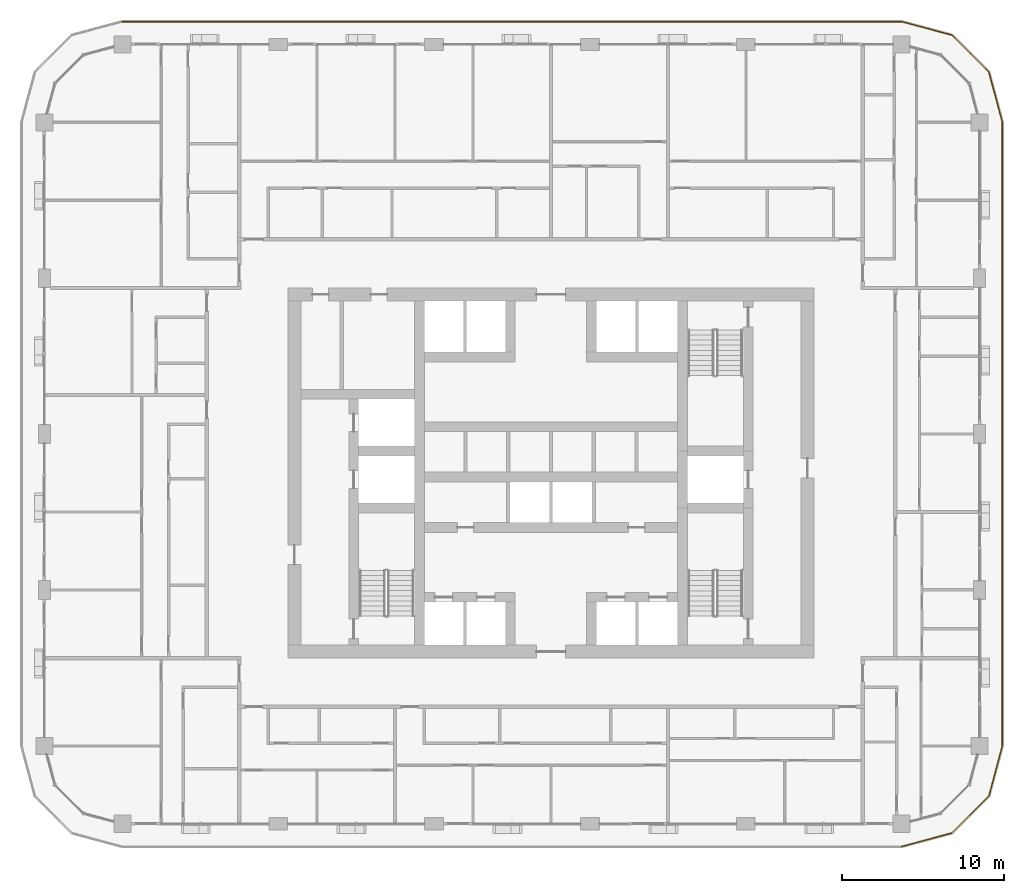
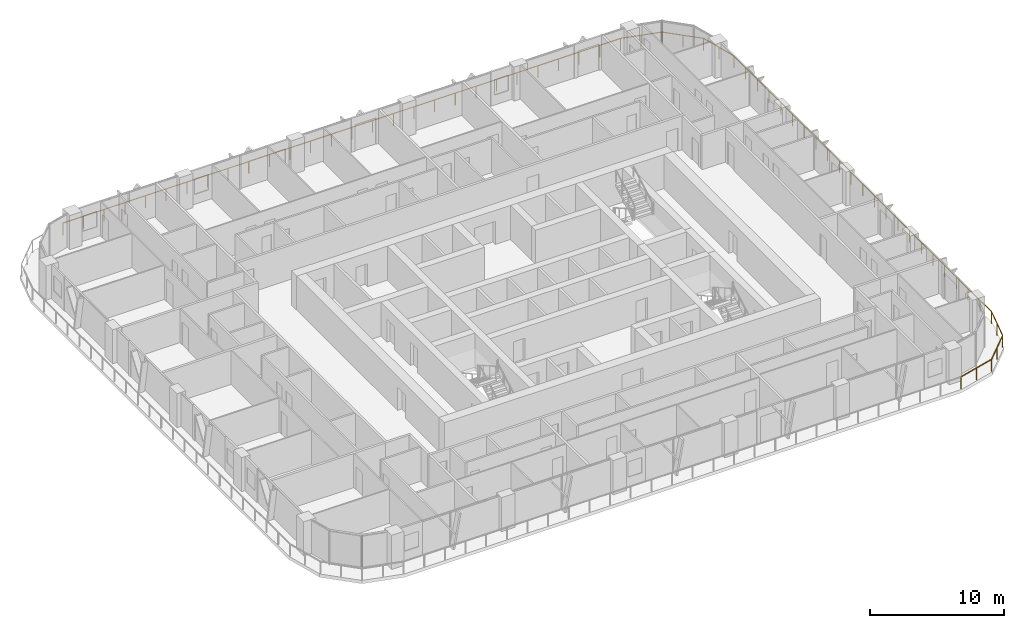
# One storey, part 20 of 22: 1 railing.
"""IFC4 building model written with IfcOpenShell, lengths in metres."""

from ifc_helpers import new_model, si_unit, direction, frame, origin, origin_2d, place, context, subcontext, project, spatial, circle, extrude, material, type_object, element, save


model = new_model("IFC4")

# Units and contexts
model_context = context("Model", 3, precision=1e-05, world=origin(), true_north=direction((0.0, 1.0)))
body_context = subcontext(model_context, "Body", "Model", "MODEL_VIEW")
ifc_project = project(units=[si_unit("LENGTHUNIT", "METRE"), si_unit("AREAUNIT", "SQUARE_METRE"), si_unit("VOLUMEUNIT", "CUBIC_METRE"), si_unit("PLANEANGLEUNIT", "RADIAN"), si_unit("MASSUNIT", "GRAM", prefix="KILO")], contexts=[model_context])

# Site, building, storey
site_placement = place(None, origin())
site = spatial("IfcSite", under=ifc_project, at=site_placement, CompositionType="ELEMENT")
building_placement = place(site_placement, origin())
building = spatial("IfcBuilding", under=site, at=building_placement, Name="Madar Terraces", CompositionType="ELEMENT")
storey_placement = place(building_placement, frame((0.0, 0.0, 140.10009765625)))
storey = spatial("IfcBuildingStorey", under=building, at=storey_placement, Name="L36", CompositionType="ELEMENT", Elevation=140.10009765625)

# Railing
ifc_material = material(Name="Glass, safety glazing, with stainless steel posts", Category="steel")
railing_type = type_object("IfcRailingType", Name="Balcony glass guard 1100", PredefinedType="GUARDRAIL", material=ifc_material)
railing_placement = place(storey_placement, frame((52.800048828125, 3.39990234375, 0.0)))
element("IfcRailing", 1, at=railing_placement, inside=storey, type_object=railing_type, Name="Balcony guard", PredefinedType="GUARDRAIL", context=body_context, shape_type="SweptSolid", body=[
    extrude(circle(Radius=0.02392578125, at=origin_2d()), frame((0.0, 0.0, 1.076171875), z_axis=(0.965909675762, 0.25887931217, 0.0), x_axis=(-0.25887931217, 0.965909675762, 0.0)), (0.0, 0.0, 1.0), 3.209228515625),
    extrude(circle(Radius=0.02392578125, at=origin_2d()), frame((3.099853515625, 0.830810546875, 1.076171875), z_axis=(0.707144815061, 0.707068745266, 0.0), x_axis=(-0.707068745266, 0.707144815061, 0.0)), (0.0, 0.0, 1.0), 3.20947265625),
    extrude(circle(Radius=0.02392578125, at=origin_2d()), frame((5.369384765625, 3.10009765625, 1.076171875), z_axis=(0.258789317819, 0.9659337912, 0.0), x_axis=(-0.9659337912, 0.258789317819, 0.0)), (0.0, 0.0, 1.0), 3.20947265625),
    extrude(circle(Radius=0.02392578125, at=origin_2d()), frame((6.199951171875, 6.2001953125, 1.076171875), z_axis=(0.0, 1.0, 0.0), x_axis=(-1.0, 0.0, 0.0)), (0.0, 0.0, 1.0), 38.39990234375),
    extrude(circle(Radius=0.02392578125, at=origin_2d()), frame((6.199951171875, 44.60009765625, 1.076171875), z_axis=(-0.258789317819, 0.9659337912, 0.0), x_axis=(-0.9659337912, -0.258789317819, 0.0)), (0.0, 0.0, 1.0), 3.20947265625),
    extrude(circle(Radius=0.02392578125, at=origin_2d()), frame((5.369384765625, 47.7001953125, 1.076171875), z_axis=(-0.707144815061, 0.707068745266, 0.0), x_axis=(-0.707068745266, -0.707144815061, 0.0)), (0.0, 0.0, 1.0), 3.20947265625),
    extrude(circle(Radius=0.02392578125, at=origin_2d()), frame((3.099853515625, 49.969482421875, 1.076171875), z_axis=(-0.965928696102, 0.258808334578, 0.0), x_axis=(-0.258808334578, -0.965928696102, 0.0)), (0.0, 0.0, 1.0), 3.209228515625),
    extrude(circle(Radius=0.02392578125, at=origin_2d()), frame((0.0, 50.800048828125, 1.076171875), z_axis=(-1.0, 0.0, 0.0), x_axis=(0.0, -1.0, 0.0)), (0.0, 0.0, 1.0), 48.0),
    extrude(circle(Radius=0.02099609375, at=origin_2d()), origin(), (0.0, 0.0, 1.0), 1.052001953125),
    extrude(circle(Radius=0.02099609375, at=origin_2d()), frame((1.5498046875, 0.41552734375, 0.0)), (0.0, 0.0, 1.0), 1.052001953125),
    extrude(circle(Radius=0.02099609375, at=origin_2d()), frame((3.099853515625, 0.830810546875, 0.0)), (0.0, 0.0, 1.0), 1.052001953125),
    extrude(circle(Radius=0.02099609375, at=origin_2d()), frame((4.234619140625, 1.96533203125, 0.0)), (0.0, 0.0, 1.0), 1.052001953125),
    extrude(circle(Radius=0.02099609375, at=origin_2d()), frame((5.369384765625, 3.10009765625, 0.0)), (0.0, 0.0, 1.0), 1.052001953125),
    extrude(circle(Radius=0.02099609375, at=origin_2d()), frame((5.78466796875, 4.650146484375, 0.0)), (0.0, 0.0, 1.0), 1.052001953125),
    extrude(circle(Radius=0.02099609375, at=origin_2d()), frame((6.199951171875, 6.2001953125, 0.0)), (0.0, 0.0, 1.0), 1.052001953125),
    extrude(circle(Radius=0.02099609375, at=origin_2d()), frame((6.199951171875, 7.945556640625, 0.0)), (0.0, 0.0, 1.0), 1.052001953125),
    extrude(circle(Radius=0.02099609375, at=origin_2d()), frame((6.199951171875, 9.691162109375, 0.0)), (0.0, 0.0, 1.0), 1.052001953125),
    extrude(circle(Radius=0.02099609375, at=origin_2d()), frame((6.199951171875, 11.4365234375, 0.0)), (0.0, 0.0, 1.0), 1.052001953125),
    extrude(circle(Radius=0.02099609375, at=origin_2d()), frame((6.199951171875, 13.181884765625, 0.0)), (0.0, 0.0, 1.0), 1.052001953125),
    extrude(circle(Radius=0.02099609375, at=origin_2d()), frame((6.199951171875, 14.927490234375, 0.0)), (0.0, 0.0, 1.0), 1.052001953125),
    extrude(circle(Radius=0.02099609375, at=origin_2d()), frame((6.199951171875, 16.6728515625, 0.0)), (0.0, 0.0, 1.0), 1.052001953125),
    extrude(circle(Radius=0.02099609375, at=origin_2d()), frame((6.199951171875, 18.41845703125, 0.0)), (0.0, 0.0, 1.0), 1.052001953125),
    extrude(circle(Radius=0.02099609375, at=origin_2d()), frame((6.199951171875, 20.163818359375, 0.0)), (0.0, 0.0, 1.0), 1.052001953125),
    extrude(circle(Radius=0.02099609375, at=origin_2d()), frame((6.199951171875, 21.9091796875, 0.0)), (0.0, 0.0, 1.0), 1.052001953125),
    extrude(circle(Radius=0.02099609375, at=origin_2d()), frame((6.199951171875, 23.65478515625, 0.0)), (0.0, 0.0, 1.0), 1.052001953125),
    extrude(circle(Radius=0.02099609375, at=origin_2d()), frame((6.199951171875, 25.400146484375, 0.0)), (0.0, 0.0, 1.0), 1.052001953125),
    extrude(circle(Radius=0.02099609375, at=origin_2d()), frame((6.199951171875, 27.1455078125, 0.0)), (0.0, 0.0, 1.0), 1.052001953125),
    extrude(circle(Radius=0.02099609375, at=origin_2d()), frame((6.199951171875, 28.89111328125, 0.0)), (0.0, 0.0, 1.0), 1.052001953125),
    extrude(circle(Radius=0.02099609375, at=origin_2d()), frame((6.199951171875, 30.636474609375, 0.0)), (0.0, 0.0, 1.0), 1.052001953125),
    extrude(circle(Radius=0.02099609375, at=origin_2d()), frame((6.199951171875, 32.3818359375, 0.0)), (0.0, 0.0, 1.0), 1.052001953125),
    extrude(circle(Radius=0.02099609375, at=origin_2d()), frame((6.199951171875, 34.12744140625, 0.0)), (0.0, 0.0, 1.0), 1.052001953125),
    extrude(circle(Radius=0.02099609375, at=origin_2d()), frame((6.199951171875, 35.872802734375, 0.0)), (0.0, 0.0, 1.0), 1.052001953125),
    extrude(circle(Radius=0.02099609375, at=origin_2d()), frame((6.199951171875, 37.618408203125, 0.0)), (0.0, 0.0, 1.0), 1.052001953125),
    extrude(circle(Radius=0.02099609375, at=origin_2d()), frame((6.199951171875, 39.36376953125, 0.0)), (0.0, 0.0, 1.0), 1.052001953125),
    extrude(circle(Radius=0.02099609375, at=origin_2d()), frame((6.199951171875, 41.109130859375, 0.0)), (0.0, 0.0, 1.0), 1.052001953125),
    extrude(circle(Radius=0.02099609375, at=origin_2d()), frame((6.199951171875, 42.854736328125, 0.0)), (0.0, 0.0, 1.0), 1.052001953125),
    extrude(circle(Radius=0.02099609375, at=origin_2d()), frame((6.199951171875, 44.60009765625, 0.0)), (0.0, 0.0, 1.0), 1.052001953125),
    extrude(circle(Radius=0.02099609375, at=origin_2d()), frame((5.78466796875, 46.150146484375, 0.0)), (0.0, 0.0, 1.0), 1.052001953125),
    extrude(circle(Radius=0.02099609375, at=origin_2d()), frame((5.369384765625, 47.7001953125, 0.0)), (0.0, 0.0, 1.0), 1.052001953125),
    extrude(circle(Radius=0.02099609375, at=origin_2d()), frame((4.234619140625, 48.8349609375, 0.0)), (0.0, 0.0, 1.0), 1.052001953125),
    extrude(circle(Radius=0.02099609375, at=origin_2d()), frame((3.099853515625, 49.969482421875, 0.0)), (0.0, 0.0, 1.0), 1.052001953125),
    extrude(circle(Radius=0.02099609375, at=origin_2d()), frame((1.5498046875, 50.384765625, 0.0)), (0.0, 0.0, 1.0), 1.052001953125),
    extrude(circle(Radius=0.02099609375, at=origin_2d()), frame((0.0, 50.800048828125, 0.0)), (0.0, 0.0, 1.0), 1.052001953125),
    extrude(circle(Radius=0.02099609375, at=origin_2d()), frame((-1.77783203125, 50.800048828125, 0.0)), (0.0, 0.0, 1.0), 1.052001953125),
    extrude(circle(Radius=0.02099609375, at=origin_2d()), frame((-3.5556640625, 50.800048828125, 0.0)), (0.0, 0.0, 1.0), 1.052001953125),
    extrude(circle(Radius=0.02099609375, at=origin_2d()), frame((-5.333251953125, 50.800048828125, 0.0)), (0.0, 0.0, 1.0), 1.052001953125),
    extrude(circle(Radius=0.02099609375, at=origin_2d()), frame((-7.111083984375, 50.800048828125, 0.0)), (0.0, 0.0, 1.0), 1.052001953125),
    extrude(circle(Radius=0.02099609375, at=origin_2d()), frame((-8.888916015625, 50.800048828125, 0.0)), (0.0, 0.0, 1.0), 1.052001953125),
    extrude(circle(Radius=0.02099609375, at=origin_2d()), frame((-10.666748046875, 50.800048828125, 0.0)), (0.0, 0.0, 1.0), 1.052001953125),
    extrude(circle(Radius=0.02099609375, at=origin_2d()), frame((-12.4443359375, 50.800048828125, 0.0)), (0.0, 0.0, 1.0), 1.052001953125),
    extrude(circle(Radius=0.02099609375, at=origin_2d()), frame((-14.22216796875, 50.800048828125, 0.0)), (0.0, 0.0, 1.0), 1.052001953125),
    extrude(circle(Radius=0.02099609375, at=origin_2d()), frame((-16.0, 50.800048828125, 0.0)), (0.0, 0.0, 1.0), 1.052001953125),
    extrude(circle(Radius=0.02099609375, at=origin_2d()), frame((-17.77783203125, 50.800048828125, 0.0)), (0.0, 0.0, 1.0), 1.052001953125),
    extrude(circle(Radius=0.02099609375, at=origin_2d()), frame((-19.5556640625, 50.800048828125, 0.0)), (0.0, 0.0, 1.0), 1.052001953125),
    extrude(circle(Radius=0.02099609375, at=origin_2d()), frame((-21.333251953125, 50.800048828125, 0.0)), (0.0, 0.0, 1.0), 1.052001953125),
    extrude(circle(Radius=0.02099609375, at=origin_2d()), frame((-23.111083984375, 50.800048828125, 0.0)), (0.0, 0.0, 1.0), 1.052001953125),
    extrude(circle(Radius=0.02099609375, at=origin_2d()), frame((-24.888916015625, 50.800048828125, 0.0)), (0.0, 0.0, 1.0), 1.052001953125),
    extrude(circle(Radius=0.02099609375, at=origin_2d()), frame((-26.666748046875, 50.800048828125, 0.0)), (0.0, 0.0, 1.0), 1.052001953125),
    extrude(circle(Radius=0.02099609375, at=origin_2d()), frame((-28.4443359375, 50.800048828125, 0.0)), (0.0, 0.0, 1.0), 1.052001953125),
    extrude(circle(Radius=0.02099609375, at=origin_2d()), frame((-30.22216796875, 50.800048828125, 0.0)), (0.0, 0.0, 1.0), 1.052001953125),
    extrude(circle(Radius=0.02099609375, at=origin_2d()), frame((-32.0, 50.800048828125, 0.0)), (0.0, 0.0, 1.0), 1.052001953125),
    extrude(circle(Radius=0.02099609375, at=origin_2d()), frame((-33.77783203125, 50.800048828125, 0.0)), (0.0, 0.0, 1.0), 1.052001953125),
    extrude(circle(Radius=0.02099609375, at=origin_2d()), frame((-35.5556640625, 50.800048828125, 0.0)), (0.0, 0.0, 1.0), 1.052001953125),
    extrude(circle(Radius=0.02099609375, at=origin_2d()), frame((-37.333251953125, 50.800048828125, 0.0)), (0.0, 0.0, 1.0), 1.052001953125),
    extrude(circle(Radius=0.02099609375, at=origin_2d()), frame((-39.111083984375, 50.800048828125, 0.0)), (0.0, 0.0, 1.0), 1.052001953125),
    extrude(circle(Radius=0.02099609375, at=origin_2d()), frame((-40.888916015625, 50.800048828125, 0.0)), (0.0, 0.0, 1.0), 1.052001953125),
    extrude(circle(Radius=0.02099609375, at=origin_2d()), frame((-42.666748046875, 50.800048828125, 0.0)), (0.0, 0.0, 1.0), 1.052001953125),
    extrude(circle(Radius=0.02099609375, at=origin_2d()), frame((-44.4443359375, 50.800048828125, 0.0)), (0.0, 0.0, 1.0), 1.052001953125),
    extrude(circle(Radius=0.02099609375, at=origin_2d()), frame((-46.22216796875, 50.800048828125, 0.0)), (0.0, 0.0, 1.0), 1.052001953125),
    extrude(circle(Radius=0.02099609375, at=origin_2d()), frame((-48.0, 50.800048828125, 0.0)), (0.0, 0.0, 1.0), 1.052001953125),
])

save(model, "model.ifc")
